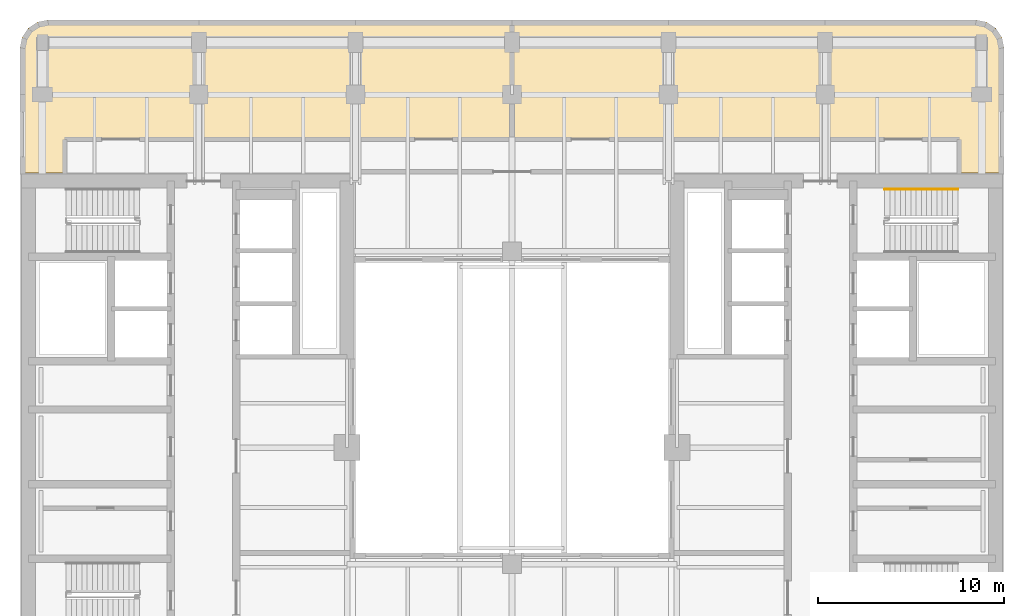
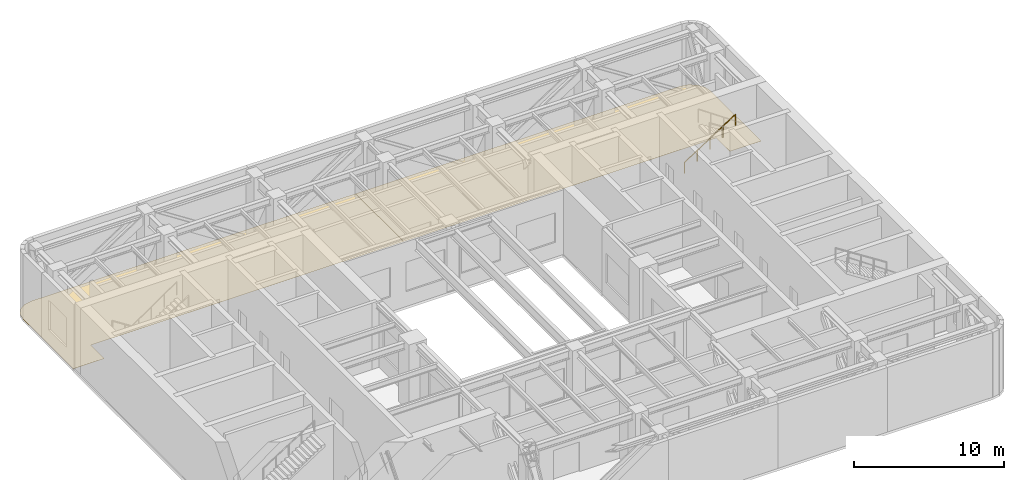
# One storey, part 10 of 10: 2 coverings, 1 railing.
"""IFC4 building model written with IfcOpenShell, lengths in metres."""

from ifc_helpers import new_model, si_unit, direction, frame, origin, origin_2d, place, context, subcontext, project, spatial, polyline, circle, outline, extrude, material, layer, layer_set, type_object, element, save


model = new_model("IFC4")

# Units and contexts
model_context = context("Model", 3, precision=1e-05, world=origin(), true_north=direction((0.0, 1.0)))
body_context = subcontext(model_context, "Body", "Model", "MODEL_VIEW")
ifc_project = project(units=[si_unit("LENGTHUNIT", "METRE"), si_unit("AREAUNIT", "SQUARE_METRE"), si_unit("VOLUMEUNIT", "CUBIC_METRE"), si_unit("PLANEANGLEUNIT", "RADIAN"), si_unit("MASSUNIT", "GRAM", prefix="KILO")], contexts=[model_context])

# Site, building, storey
site_placement = place(None, origin())
site = spatial("IfcSite", under=ifc_project, at=site_placement, CompositionType="ELEMENT")
building_placement = place(site_placement, origin())
building = spatial("IfcBuilding", under=site, at=building_placement, Name="Claustro Exchange Tower", CompositionType="ELEMENT")
storey_placement = place(building_placement, frame((0.0, 0.0, 244.800048828125)))
storey = spatial("IfcBuildingStorey", under=building, at=storey_placement, Name="L56", CompositionType="ELEMENT", Elevation=244.800048828125)

# Coverings
ifc_material_1 = material(Name="Epoxy resin floor finish", Category="resin")
ifc_layer = layer(ifc_material_1, 0.006103515625)
ifc_layer_set = layer_set([ifc_layer], Name="Epoxy resin floor finish")
covering_type = type_object("IfcCoveringType", Name="FL2 resin plant room floor", PredefinedType="FLOORING", material=ifc_layer_set)
covering_1_placement = place(storey_placement, origin())
element("IfcCovering", 1, at=covering_1_placement, inside=storey, type_object=covering_type, Name="Resin floor FL2 L56-10", PredefinedType="FLOORING", context=body_context, shape_type="SweptSolid", body=[
    extrude(outline(polyline([(-1.199951171875, 44.5), (-1.199951171875, 37.800048828125), (1.199951171875, 37.800048828125), (1.199951171875, 39.60009765625), (25.199951171875, 39.60009765625), (25.199951171875, 46.0), (0.300048828125, 46.0), (-0.27392578125, 45.8857421875), (-0.7607421875, 45.560791015625), (-1.085693359375, 45.073974609375), (-1.199951171875, 44.5)])), origin(), (0.0, 0.0, 1.0), 0.005859375),
])
covering_2_placement = place(storey_placement, origin())
element("IfcCovering", 2, at=covering_2_placement, inside=storey, type_object=covering_type, Name="Resin floor FL2 L56-11", PredefinedType="FLOORING", context=body_context, shape_type="SweptSolid", body=[
    extrude(outline(polyline([(50.10009765625, 46.0), (25.199951171875, 46.0), (25.199951171875, 39.60009765625), (49.199951171875, 39.60009765625), (49.199951171875, 37.800048828125), (51.60009765625, 37.800048828125), (51.60009765625, 44.5), (51.48583984375, 45.073974609375), (51.16064453125, 45.560791015625), (50.674072265625, 45.8857421875), (50.10009765625, 46.0)])), origin(), (0.0, 0.0, 1.0), 0.005859375),
])

# Railing
ifc_material_2 = material(Name="Stainless steel tube", Category="steel")
railing_type = type_object("IfcRailingType", Name="HR1 900 stair handrail", PredefinedType="HANDRAIL", material=ifc_material_2)
railing_placement = place(storey_placement, frame((45.199951171875, 36.9150390625, 0.179931640625)))
element("IfcRailing", 3, at=railing_placement, inside=storey, type_object=railing_type, Name="Handrail HR1 stair STEB L56", PredefinedType="HANDRAIL", context=body_context, shape_type="SweptSolid", body=[
    extrude(circle(Radius=0.02392578125, at=origin_2d()), frame((0.0, 0.0, 0.8759765625), z_axis=(0.841186985886, 0.0, 0.540744352514), x_axis=(0.0, 1.0, 0.0)), (0.0, 0.0, 1.0), 4.660400390625),
    extrude(circle(Radius=0.02099609375, at=origin_2d()), origin(), (0.0, 0.0, 1.0), 0.851806640625),
    extrude(circle(Radius=0.02099609375, at=origin_2d()), frame((0.97998046875, 0.0, 0.6298828125)), (0.0, 0.0, 1.0), 0.851806640625),
    extrude(circle(Radius=0.02099609375, at=origin_2d()), frame((1.9599609375, 0.0, 1.260009765625)), (0.0, 0.0, 1.0), 0.851806640625),
    extrude(circle(Radius=0.02099609375, at=origin_2d()), frame((2.940185546875, 0.0, 1.89013671875)), (0.0, 0.0, 1.0), 0.851806640625),
    extrude(circle(Radius=0.02099609375, at=origin_2d()), frame((3.920166015625, 0.0, 2.52001953125)), (0.0, 0.0, 1.0), 0.851806640625),
])

save(model, "model.ifc")
